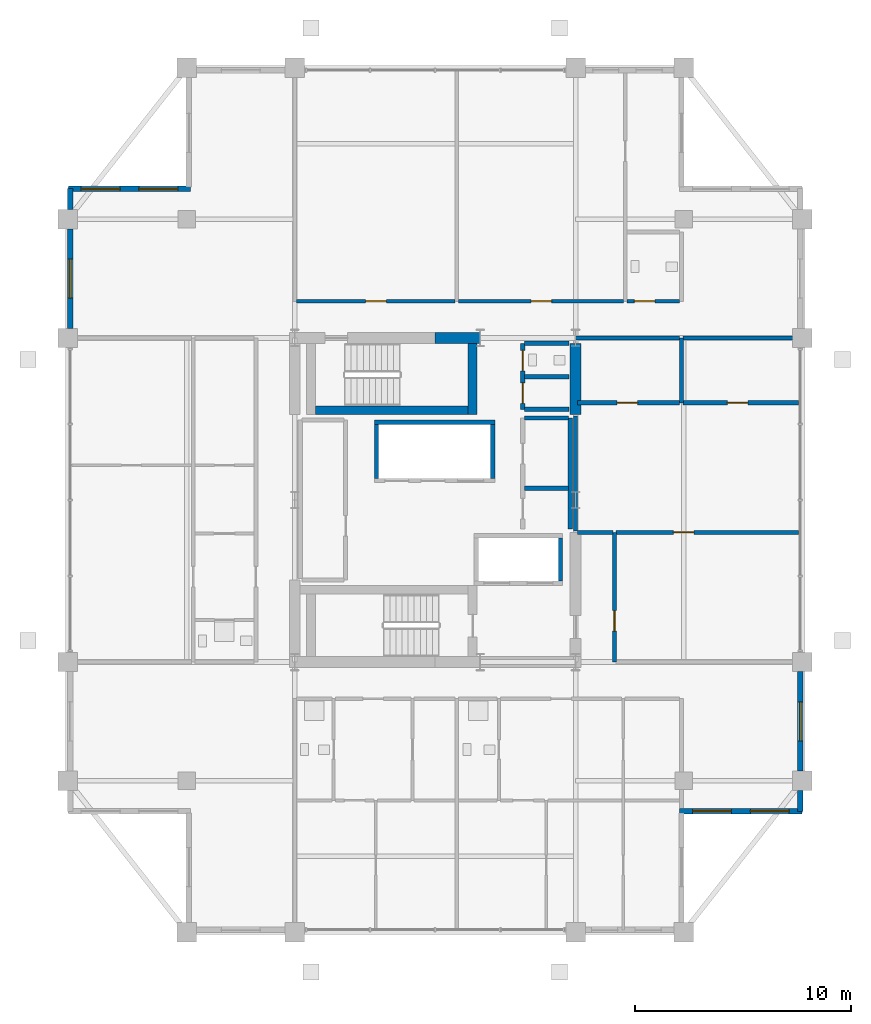
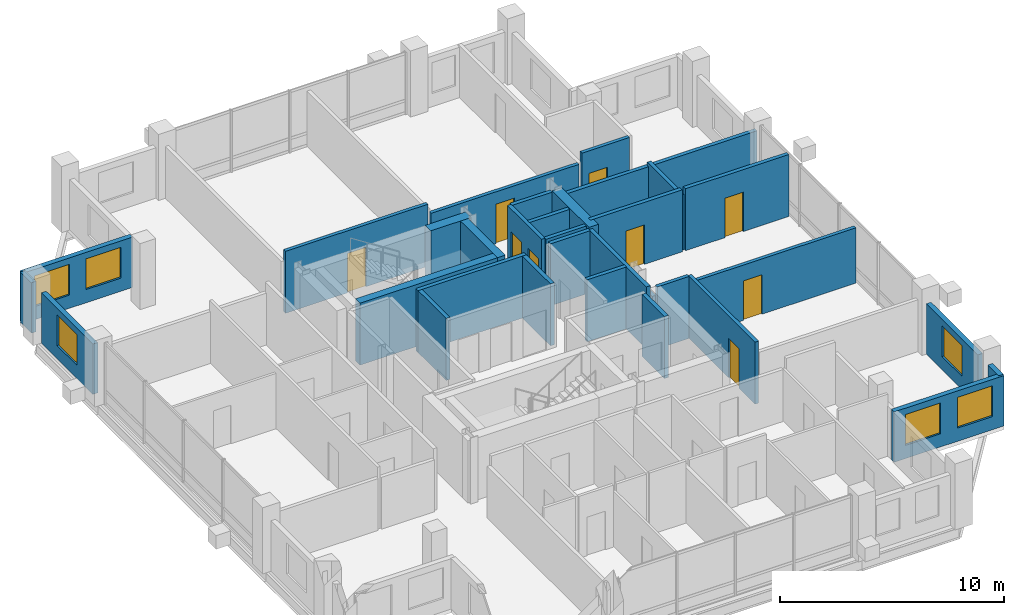
# One storey, part 18 of 21: 33 walls, 9 doors, 6 windows, 15 openings.
"""IFC4 building model written with IfcOpenShell, lengths in metres."""

from ifc_helpers import new_model, si_unit, direction, frame, frame_2d, origin, place, context, subcontext, project, spatial, rectangle, extrude, material, layer, layer_set, type_object, element, fill, save


model = new_model("IFC4")

# Units and contexts
model_context = context("Model", 3, precision=1e-05, world=origin(), true_north=direction((0.0, 1.0)))
body_context = subcontext(model_context, "Body", "Model", "MODEL_VIEW")
ifc_project = project(units=[si_unit("LENGTHUNIT", "METRE"), si_unit("AREAUNIT", "SQUARE_METRE"), si_unit("VOLUMEUNIT", "CUBIC_METRE"), si_unit("PLANEANGLEUNIT", "RADIAN"), si_unit("MASSUNIT", "GRAM", prefix="KILO")], contexts=[model_context])

# Site, building, storey
site_placement = place(None, origin())
site = spatial("IfcSite", under=ifc_project, at=site_placement, CompositionType="ELEMENT")
building_placement = place(site_placement, origin())
building = spatial("IfcBuilding", under=site, at=building_placement, Name="Barlavira Tower and Art Museum", CompositionType="ELEMENT")
storey_placement = place(building_placement, frame((0.0, 0.0, 297.89990234375)))
storey = spatial("IfcBuildingStorey", under=building, at=storey_placement, Name="L78", CompositionType="ELEMENT", Elevation=297.89990234375)

# Walls
ifc_material_1 = material(Name="Concrete C60", Category="concrete")
ifc_layer_1 = layer(ifc_material_1, 0.5, Name="Concrete C60")
ifc_layer_set_1 = layer_set([ifc_layer_1], Name="Concrete C60")
wall_type_1 = type_object("IfcWallType", Name="Core Structural Shear Wall 500 Concrete C60", PredefinedType="SHEAR", material=ifc_layer_set_1)
wall_1_placement = place(storey_placement, frame((0.0, 7.5, 0.0), z_axis=(0.0, 0.0, 1.0), x_axis=(1.0, 0.0, 0.0)))
element("IfcWall", 1, at=wall_1_placement, inside=storey, type_object=wall_type_1, Name="L78 Core Shear Wall CS-EN", PredefinedType="SHEAR", context=body_context, shape_type="SweptSolid", body=[
    extrude(rectangle(XDim=2.080078125, YDim=0.5, at=frame_2d((1.0400390625, 0.0))), origin(), (0.0, 0.0, 1.0), 3.380126953125),
])
wall_2_placement = place(storey_placement, frame((6.5, 3.949951171875, 0.0), z_axis=(0.0, 0.0, 1.0), x_axis=(0.0, 1.0, 0.0)))
element("IfcWall", 2, at=wall_2_placement, inside=storey, type_object=wall_type_1, Name="L78 Core Shear Wall CS-E2", PredefinedType="SHEAR", context=body_context, shape_type="SweptSolid", body=[
    extrude(rectangle(XDim=3.300048828125, YDim=0.5, at=frame_2d((1.64990234375, 0.0))), origin(), (0.0, 0.0, 1.0), 3.380126953125),
])
ifc_material_2 = material(Name="Autoclaved aerated concrete masonry", Category="masonry")
ifc_layer_2 = layer(ifc_material_2, 0.199951171875, Name="Autoclaved aerated concrete masonry")
ifc_layer_set_2 = layer_set([ifc_layer_2], Name="Autoclaved aerated concrete masonry")
wall_type_2 = type_object("IfcWallType", Name="Fire Compartment and Shaft Wall 200", PredefinedType="SOLIDWALL", material=ifc_layer_set_2)
wall_3_placement = place(storey_placement, frame((-2.820068359375, 3.60009765625, 0.0), z_axis=(0.0, 0.0, 1.0), x_axis=(1.0, 0.0, 0.0)))
element("IfcWall", 3, at=wall_3_placement, inside=storey, type_object=wall_type_2, Name="L78 High-Rise & Service Lift Back Wall", PredefinedType="SOLIDWALL", context=body_context, shape_type="SweptSolid", body=[
    extrude(rectangle(XDim=5.580078125, YDim=0.199951171875, at=frame_2d((2.7900390625, 0.0))), origin(), (0.0, 0.0, 1.0), 3.380126953125),
])
for number, where, z_axis, x_axis, name in (
    (4, (-2.719970703125, 1.0, 0.0), (0.0, 0.0, 1.0), (0.0, 1.0, 0.0), "L78 High-Rise & Service Lift West Wall"),
    (5, (2.659912109375, 1.0, 0.0), (0.0, 0.0, 1.0), (0.0, 1.0, 0.0), "L78 High-Rise & Service Lift East Wall"),
):
    element("IfcWall", number, at=place(storey_placement, frame(where, z_axis=z_axis, x_axis=x_axis)), inside=storey, type_object=wall_type_2, Name=name, PredefinedType="SOLIDWALL", context=body_context, shape_type="SweptSolid", body=[
        extrude(rectangle(XDim=2.5, YDim=0.199951171875, at=frame_2d((1.25, 0.0))), origin(), (0.0, 0.0, 1.0), 3.380126953125),
    ])
wall_4_placement = place(storey_placement, frame((5.800048828125, -3.75, 0.0), z_axis=(0.0, 0.0, 1.0), x_axis=(0.0, 1.0, 0.0)))
element("IfcWall", 6, at=wall_4_placement, inside=storey, type_object=wall_type_2, Name="L78 Firefighting Lift East Shaft Wall", PredefinedType="SOLIDWALL", context=body_context, shape_type="SweptSolid", body=[
    extrude(rectangle(XDim=2.0, YDim=0.199951171875, at=frame_2d((1.0, 0.0))), origin(), (0.0, 0.0, 1.0), 3.380126953125),
])

# Wall, openings, doors
wall_5_placement = place(storey_placement, frame((4.050048828125, 4.199951171875, 0.0), z_axis=(0.0, 0.0, 1.0), x_axis=(0.0, 1.0, 0.0)))
wall_5 = element("IfcWall", 7, at=wall_5_placement, inside=storey, type_object=wall_type_2, Name="L78 Partition Wall 14", PredefinedType="SOLIDWALL", context=body_context, shape_type="SweptSolid", body=[
    extrude(rectangle(XDim=3.050048828125, YDim=0.199951171875, at=frame_2d((1.52490234375, 0.0))), origin(), (0.0, 0.0, 1.0), 3.380126953125),
])
opening_1_placement = place(wall_5_placement, frame((0.27490234375, 0.0, 0.0)))
opening_1 = element("IfcOpeningElement", 8, at=opening_1_placement, cuts=wall_5, Name="Opening FD-60", PredefinedType="OPENING", context=body_context, shape_type="SweptSolid", body=[
    extrude(rectangle(XDim=0.949951171875, YDim=2.14990234375, at=frame_2d((0.47509765625, 1.074951171875))), frame((0.0, 0.10986328125, 0.0), z_axis=(0.0, -1.0, 0.0), x_axis=(1.0, 0.0, 0.0)), (0.0, 0.0, 1.0), 0.219970703125),
])
opening_2_placement = place(wall_5_placement, frame((1.77490234375, 0.0, 0.0)))
opening_2 = element("IfcOpeningElement", 9, at=opening_2_placement, cuts=wall_5, Name="Opening FD-60", PredefinedType="OPENING", context=body_context, shape_type="SweptSolid", body=[
    extrude(rectangle(XDim=0.949951171875, YDim=2.14990234375, at=frame_2d((0.47509765625, 1.074951171875))), frame((0.0, 0.10986328125, 0.0), z_axis=(0.0, -1.0, 0.0), x_axis=(1.0, 0.0, 0.0)), (0.0, 0.0, 1.0), 0.219970703125),
])
ifc_material_3 = material(Name="Brushed stainless steel", Category="steel")
door_type = type_object("IfcDoorType", Name="Apartment Entrance and Riser Fire Door 950x2150 FD60S", OperationType="NOTDEFINED", PredefinedType="DOOR", material=ifc_material_3)
door_1_placement = place(opening_1_placement, origin())
door_1 = element("IfcDoor", 10, at=door_1_placement, inside=storey, type_object=door_type, Name="Electrical Switchgear Room Door", OperationType="SINGLE_SWING_LEFT", OverallHeight=2.14990234375, OverallWidth=0.949951171875, PredefinedType="DOOR", context=body_context, shape_type="SweptSolid", body=[
    extrude(rectangle(XDim=0.949951171875, YDim=2.14990234375, at=frame_2d((0.47509765625, 1.074951171875))), frame((0.0, 0.02490234375, 0.0), z_axis=(0.0, -1.0, 0.0), x_axis=(1.0, 0.0, 0.0)), (0.0, 0.0, 1.0), 0.050048828125),
])
fill(opening_1, door_1)
door_2_placement = place(opening_2_placement, origin())
door_2 = element("IfcDoor", 11, at=door_2_placement, inside=storey, type_object=door_type, Name="Core Staff Toilet Door", OperationType="SINGLE_SWING_RIGHT", OverallHeight=2.14990234375, OverallWidth=0.949951171875, PredefinedType="DOOR", context=body_context, shape_type="SweptSolid", body=[
    extrude(rectangle(XDim=0.949951171875, YDim=2.14990234375, at=frame_2d((0.47509765625, 1.074951171875))), frame((0.0, 0.02490234375, 0.0), z_axis=(0.0, -1.0, 0.0), x_axis=(1.0, 0.0, 0.0)), (0.0, 0.0, 1.0), 0.050048828125),
])
fill(opening_2, door_2)

# Walls
wall_6_placement = place(storey_placement, frame((6.25, -1.35009765625, 0.0), z_axis=(0.0, 0.0, 1.0), x_axis=(0.0, 1.0, 0.0)))
element("IfcWall", 12, at=wall_6_placement, inside=storey, type_object=wall_type_2, Name="L78 Partition Wall 16", PredefinedType="SOLIDWALL", context=body_context, shape_type="SweptSolid", body=[
    extrude(rectangle(XDim=5.150146484375, YDim=0.199951171875, at=frame_2d((2.5751953125, 0.0))), origin(), (0.0, 0.0, 1.0), 3.380126953125),
])
wall_7_placement = place(storey_placement, frame((11.39990234375, 4.5, 0.0), z_axis=(0.0, 0.0, 1.0), x_axis=(0.0, 1.0, 0.0)))
element("IfcWall", 13, at=wall_7_placement, inside=storey, type_object=wall_type_2, Name="L78 Partition Wall 22", PredefinedType="SOLIDWALL", context=body_context, shape_type="SweptSolid", body=[
    extrude(rectangle(XDim=3.0, YDim=0.199951171875, at=frame_2d((1.5, 0.0))), origin(), (0.0, 0.0, 1.0), 3.01806640625),
])
for number, where, z_axis, x_axis, name in (
    (14, (4.1298828125, 0.550048828125, 0.0), (0.0, 0.0, 1.0), (1.0, 0.0, 0.0), "L78 Partition Wall 46"),
    (15, (4.1298828125, 3.800048828125, 0.0), (0.0, 0.0, 1.0), (1.0, 0.0, 0.0), "L78 Partition Wall 50"),
):
    element("IfcWall", number, at=place(storey_placement, frame(where, z_axis=z_axis, x_axis=x_axis)), inside=storey, type_object=wall_type_2, Name=name, PredefinedType="SOLIDWALL", context=body_context, shape_type="SweptSolid", body=[
        extrude(rectangle(XDim=2.0400390625, YDim=0.199951171875, at=frame_2d((1.02001953125, 0.0))), origin(), (0.0, 0.0, 1.0), 3.380126953125),
    ])
wall_8_placement = place(storey_placement, frame((4.1298828125, 4.199951171875, 0.0), z_axis=(0.0, 0.0, 1.0), x_axis=(1.0, 0.0, 0.0)))
element("IfcWall", 16, at=wall_8_placement, inside=storey, type_object=wall_type_2, Name="L78 Partition Wall 51", PredefinedType="SOLIDWALL", context=body_context, shape_type="SweptSolid", body=[
    extrude(rectangle(XDim=2.070068359375, YDim=0.199951171875, at=frame_2d((1.03515625, 0.0))), origin(), (0.0, 0.0, 1.0), 3.380126953125),
])

# Wall, opening, door
wall_9_placement = place(storey_placement, frame((6.580078125, 4.5, 0.0), z_axis=(0.0, 0.0, 1.0), x_axis=(1.0, 0.0, 0.0)))
wall_9 = element("IfcWall", 17, at=wall_9_placement, inside=storey, type_object=wall_type_2, Name="L78 Partition Wall 52", PredefinedType="SOLIDWALL", context=body_context, shape_type="SweptSolid", body=[
    extrude(rectangle(XDim=4.739990234375, YDim=0.199951171875, at=frame_2d((2.3701171875, 0.0))), origin(), (0.0, 0.0, 1.0), 3.380126953125),
])
opening_3_placement = place(wall_9_placement, frame((1.844970703125, 0.0, 0.0)))
opening_3 = element("IfcOpeningElement", 18, at=opening_3_placement, cuts=wall_9, Name="Opening FD-60", PredefinedType="OPENING", context=body_context, shape_type="SweptSolid", body=[
    extrude(rectangle(XDim=0.949951171875, YDim=2.14990234375, at=frame_2d((0.47509765625, 1.074951171875))), frame((0.0, 0.10986328125, 0.0), z_axis=(0.0, -1.0, 0.0), x_axis=(1.0, 0.0, 0.0)), (0.0, 0.0, 1.0), 0.219970703125),
])
door_3_placement = place(opening_3_placement, origin())
door_3 = element("IfcDoor", 19, at=door_3_placement, inside=storey, type_object=door_type, Name="Shared Espresso Pantry Door", OperationType="SINGLE_SWING_RIGHT", OverallHeight=2.14990234375, OverallWidth=0.949951171875, PredefinedType="DOOR", context=body_context, shape_type="SweptSolid", body=[
    extrude(rectangle(XDim=0.949951171875, YDim=2.14990234375, at=frame_2d((0.47509765625, 1.074951171875))), frame((0.0, 0.02490234375, 0.0), z_axis=(0.0, -1.0, 0.0), x_axis=(1.0, 0.0, 0.0)), (0.0, 0.0, 1.0), 0.050048828125),
])
fill(opening_3, door_3)

wall_10_placement = place(storey_placement, frame((11.47998046875, 4.5, 0.0), z_axis=(0.0, 0.0, 1.0), x_axis=(1.0, 0.0, 0.0)))
wall_10 = element("IfcWall", 20, at=wall_10_placement, inside=storey, type_object=wall_type_2, Name="L78 Partition Wall 53", PredefinedType="SOLIDWALL", context=body_context, shape_type="SweptSolid", body=[
    extrude(rectangle(XDim=5.340087890625, YDim=0.199951171875, at=frame_2d((2.669921875, 0.0))), origin(), (0.0, 0.0, 1.0), 3.380126953125),
])
opening_4_placement = place(wall_10_placement, frame((2.044921875, 0.0, 0.0)))
opening_4 = element("IfcOpeningElement", 21, at=opening_4_placement, cuts=wall_10, Name="Opening FD-60", PredefinedType="OPENING", context=body_context, shape_type="SweptSolid", body=[
    extrude(rectangle(XDim=0.949951171875, YDim=2.14990234375, at=frame_2d((0.47509765625, 1.074951171875))), frame((0.0, 0.10986328125, 0.0), z_axis=(0.0, -1.0, 0.0), x_axis=(1.0, 0.0, 0.0)), (0.0, 0.0, 1.0), 0.219970703125),
])
door_4_placement = place(opening_4_placement, origin())
door_4 = element("IfcDoor", 22, at=door_4_placement, inside=storey, type_object=door_type, Name="High-Rise Amenity Linen Store Door", OperationType="SINGLE_SWING_LEFT", OverallHeight=2.14990234375, OverallWidth=0.949951171875, PredefinedType="DOOR", context=body_context, shape_type="SweptSolid", body=[
    extrude(rectangle(XDim=0.949951171875, YDim=2.14990234375, at=frame_2d((0.47509765625, 1.074951171875))), frame((0.0, 0.02490234375, 0.0), z_axis=(0.0, -1.0, 0.0), x_axis=(1.0, 0.0, 0.0)), (0.0, 0.0, 1.0), 0.050048828125),
])
fill(opening_4, door_4)

# Walls
for number, where, z_axis, x_axis, name in (
    (23, (4.1298828125, 5.699951171875, 0.0), (0.0, 0.0, 1.0), (1.0, 0.0, 0.0), "L78 Partition Wall 54"),
    (24, (4.1298828125, 7.25, 0.0), (0.0, 0.0, 1.0), (1.0, 0.0, 0.0), "L78 Partition Wall 55"),
):
    element("IfcWall", number, at=place(storey_placement, frame(where, z_axis=z_axis, x_axis=x_axis)), inside=storey, type_object=wall_type_2, Name=name, PredefinedType="SOLIDWALL", context=body_context, shape_type="SweptSolid", body=[
        extrude(rectangle(XDim=2.070068359375, YDim=0.199951171875, at=frame_2d((1.03515625, 0.0))), origin(), (0.0, 0.0, 1.0), 3.380126953125),
    ])
wall_11_placement = place(storey_placement, frame((6.5, 7.5, 0.0), z_axis=(0.0, 0.0, 1.0), x_axis=(1.0, 0.0, 0.0)))
element("IfcWall", 25, at=wall_11_placement, inside=storey, type_object=wall_type_2, Name="L78 Partition Wall 58", PredefinedType="SOLIDWALL", context=body_context, shape_type="SweptSolid", body=[
    extrude(rectangle(XDim=4.820068359375, YDim=0.199951171875, at=frame_2d((2.41015625, 0.0))), origin(), (0.0, 0.0, 1.0), 2.826171875),
])
wall_12_placement = place(storey_placement, frame((11.47998046875, 7.5, 0.0), z_axis=(0.0, 0.0, 1.0), x_axis=(1.0, 0.0, 0.0)))
element("IfcWall", 26, at=wall_12_placement, inside=storey, type_object=wall_type_2, Name="L78 Partition Wall 59", PredefinedType="SOLIDWALL", context=body_context, shape_type="SweptSolid", body=[
    extrude(rectangle(XDim=5.419921875, YDim=0.199951171875, at=frame_2d((2.7099609375, 0.0))), origin(), (0.0, 0.0, 1.0), 2.826171875),
])
ifc_material_4 = material(Name="Gypsum acoustic stud partition", Category="gypsum")
ifc_layer_3 = layer(ifc_material_4, 0.179931640625, Name="Gypsum acoustic stud partition")
ifc_layer_set_3 = layer_set([ifc_layer_3], Name="Gypsum acoustic stud partition")
wall_type_3 = type_object("IfcWallType", Name="Inter-Tenancy Party Partition Wall 180", PredefinedType="PARTITIONING", material=ifc_layer_set_3)
wall_13_placement = place(storey_placement, frame((6.5, -1.43994140625, 0.0), z_axis=(0.0, 0.0, 1.0), x_axis=(0.0, 1.0, 0.0)))
element("IfcWall", 27, at=wall_13_placement, inside=storey, type_object=wall_type_3, Name="L78 Partition Wall 17", PredefinedType="PARTITIONING", context=body_context, shape_type="SweptSolid", body=[
    extrude(rectangle(XDim=5.329833984375, YDim=0.179931640625, at=frame_2d((2.6650390625, 0.0))), origin(), (0.0, 0.0, 1.0), 2.826171875),
])

# Wall, opening, door
wall_14_placement = place(storey_placement, frame((8.300048828125, -7.5, 0.0), z_axis=(0.0, 0.0, 1.0), x_axis=(0.0, 1.0, 0.0)))
wall_14 = element("IfcWall", 28, at=wall_14_placement, inside=storey, type_object=wall_type_3, Name="L78 Partition Wall 18", PredefinedType="PARTITIONING", context=body_context, shape_type="SweptSolid", body=[
    extrude(rectangle(XDim=6.0, YDim=0.179931640625, at=frame_2d((3.0, 0.0))), origin(), (0.0, 0.0, 1.0), 3.380126953125),
])
opening_5_placement = place(wall_14_placement, frame((1.425048828125, 0.0, 0.0)))
opening_5 = element("IfcOpeningElement", 29, at=opening_5_placement, cuts=wall_14, Name="Opening FD-60", PredefinedType="OPENING", context=body_context, shape_type="SweptSolid", body=[
    extrude(rectangle(XDim=0.949951171875, YDim=2.14990234375, at=frame_2d((0.47509765625, 1.074951171875))), frame((0.0, 0.10009765625, 0.0), z_axis=(0.0, -1.0, 0.0), x_axis=(1.0, 0.0, 0.0)), (0.0, 0.0, 1.0), 0.199951171875),
])
door_5_placement = place(opening_5_placement, origin())
door_5 = element("IfcDoor", 30, at=door_5_placement, inside=storey, type_object=door_type, Name="Resident Sky Coworking Studio Door", OperationType="SINGLE_SWING_RIGHT", OverallHeight=2.14990234375, OverallWidth=0.949951171875, PredefinedType="DOOR", context=body_context, shape_type="SweptSolid", body=[
    extrude(rectangle(XDim=0.949951171875, YDim=2.14990234375, at=frame_2d((0.47509765625, 1.074951171875))), frame((0.0, 0.02490234375, 0.0), z_axis=(0.0, -1.0, 0.0), x_axis=(1.0, 0.0, 0.0)), (0.0, 0.0, 1.0), 0.050048828125),
])
fill(opening_5, door_5)

# Wall
wall_15_placement = place(storey_placement, frame((6.580078125, -1.5, 0.0), z_axis=(0.0, 0.0, 1.0), x_axis=(1.0, 0.0, 0.0)))
element("IfcWall", 31, at=wall_15_placement, inside=storey, type_object=wall_type_3, Name="L78 Partition Wall 44", PredefinedType="PARTITIONING", context=body_context, shape_type="SweptSolid", body=[
    extrude(rectangle(XDim=1.639892578125, YDim=0.179931640625, at=frame_2d((0.81982421875, 0.0))), origin(), (0.0, 0.0, 1.0), 3.380126953125),
])

# Wall, opening, door
wall_16_placement = place(storey_placement, frame((8.3798828125, -1.5, 0.0), z_axis=(0.0, 0.0, 1.0), x_axis=(1.0, 0.0, 0.0)))
wall_16 = element("IfcWall", 32, at=wall_16_placement, inside=storey, type_object=wall_type_3, Name="L78 Partition Wall 45", PredefinedType="PARTITIONING", context=body_context, shape_type="SweptSolid", body=[
    extrude(rectangle(XDim=8.440185546875, YDim=0.179931640625, at=frame_2d((4.22021484375, 0.0))), origin(), (0.0, 0.0, 1.0), 3.01806640625),
])
opening_6_placement = place(wall_16_placement, frame((2.64501953125, 0.0, 0.0)))
opening_6 = element("IfcOpeningElement", 33, at=opening_6_placement, cuts=wall_16, Name="Opening FD-60", PredefinedType="OPENING", context=body_context, shape_type="SweptSolid", body=[
    extrude(rectangle(XDim=0.949951171875, YDim=2.14990234375, at=frame_2d((0.47509765625, 1.074951171875))), frame((0.0, 0.10009765625, 0.0), z_axis=(0.0, -1.0, 0.0), x_axis=(1.0, 0.0, 0.0)), (0.0, 0.0, 1.0), 0.199951171875),
])
door_6_placement = place(opening_6_placement, origin())
door_6 = element("IfcDoor", 34, at=door_6_placement, inside=storey, type_object=door_type, Name="Private Coastal Dining Salon Door", OperationType="SINGLE_SWING_LEFT", OverallHeight=2.14990234375, OverallWidth=0.949951171875, PredefinedType="DOOR", context=body_context, shape_type="SweptSolid", body=[
    extrude(rectangle(XDim=0.949951171875, YDim=2.14990234375, at=frame_2d((0.47509765625, 1.074951171875))), frame((0.0, 0.02490234375, 0.0), z_axis=(0.0, -1.0, 0.0), x_axis=(1.0, 0.0, 0.0)), (0.0, 0.0, 1.0), 0.050048828125),
])
fill(opening_6, door_6)

wall_17_placement = place(storey_placement, frame((-6.419921875, 9.199951171875, 0.0), z_axis=(0.0, 0.0, 1.0), x_axis=(1.0, 0.0, 0.0)))
wall_17 = element("IfcWall", 35, at=wall_17_placement, inside=storey, type_object=wall_type_3, Name="L78 Partition Wall 60", PredefinedType="PARTITIONING", context=body_context, shape_type="SweptSolid", body=[
    extrude(rectangle(XDim=7.33984375, YDim=0.179931640625, at=frame_2d((3.669921875, 0.0))), origin(), (0.0, 0.0, 1.0), 3.380126953125),
])
opening_7_placement = place(wall_17_placement, frame((3.205078125, 0.0, 0.0)))
opening_7 = element("IfcOpeningElement", 36, at=opening_7_placement, cuts=wall_17, Name="Opening FD-60", PredefinedType="OPENING", context=body_context, shape_type="SweptSolid", body=[
    extrude(rectangle(XDim=0.949951171875, YDim=2.14990234375, at=frame_2d((0.47509765625, 1.074951171875))), frame((0.0, 0.10009765625, 0.0), z_axis=(0.0, -1.0, 0.0), x_axis=(1.0, 0.0, 0.0)), (0.0, 0.0, 1.0), 0.199951171875),
])
door_7_placement = place(opening_7_placement, origin())
door_7 = element("IfcDoor", 37, at=door_7_placement, inside=storey, type_object=door_type, Name="Resident Ocean-View Fitness Studio Door", OperationType="SINGLE_SWING_RIGHT", OverallHeight=2.14990234375, OverallWidth=0.949951171875, PredefinedType="DOOR", context=body_context, shape_type="SweptSolid", body=[
    extrude(rectangle(XDim=0.949951171875, YDim=2.14990234375, at=frame_2d((0.47509765625, 1.074951171875))), frame((0.0, 0.02490234375, 0.0), z_axis=(0.0, -1.0, 0.0), x_axis=(1.0, 0.0, 0.0)), (0.0, 0.0, 1.0), 0.050048828125),
])
fill(opening_7, door_7)

wall_18_placement = place(storey_placement, frame((1.080078125, 9.199951171875, 0.0), z_axis=(0.0, 0.0, 1.0), x_axis=(1.0, 0.0, 0.0)))
wall_18 = element("IfcWall", 38, at=wall_18_placement, inside=storey, type_object=wall_type_3, Name="L78 Partition Wall 61", PredefinedType="PARTITIONING", context=body_context, shape_type="SweptSolid", body=[
    extrude(rectangle(XDim=7.639892578125, YDim=0.179931640625, at=frame_2d((3.81982421875, 0.0))), origin(), (0.0, 0.0, 1.0), 2.826171875),
])
opening_8_placement = place(wall_18_placement, frame((3.35498046875, 0.0, 0.0)))
opening_8 = element("IfcOpeningElement", 39, at=opening_8_placement, cuts=wall_18, Name="Opening FD-60", PredefinedType="OPENING", context=body_context, shape_type="SweptSolid", body=[
    extrude(rectangle(XDim=0.949951171875, YDim=2.14990234375, at=frame_2d((0.47509765625, 1.074951171875))), frame((0.0, 0.10009765625, 0.0), z_axis=(0.0, -1.0, 0.0), x_axis=(1.0, 0.0, 0.0)), (0.0, 0.0, 1.0), 0.199951171875),
])
door_8_placement = place(opening_8_placement, origin())
door_8 = element("IfcDoor", 40, at=door_8_placement, inside=storey, type_object=door_type, Name="Coastal Hydrotherapy and Yoga Lounge Door", OperationType="SINGLE_SWING_LEFT", OverallHeight=2.14990234375, OverallWidth=0.949951171875, PredefinedType="DOOR", context=body_context, shape_type="SweptSolid", body=[
    extrude(rectangle(XDim=0.949951171875, YDim=2.14990234375, at=frame_2d((0.47509765625, 1.074951171875))), frame((0.0, 0.02490234375, 0.0), z_axis=(0.0, -1.0, 0.0), x_axis=(1.0, 0.0, 0.0)), (0.0, 0.0, 1.0), 0.050048828125),
])
fill(opening_8, door_8)

wall_19_placement = place(storey_placement, frame((8.8798828125, 9.199951171875, 0.0), z_axis=(0.0, 0.0, 1.0), x_axis=(1.0, 0.0, 0.0)))
wall_19 = element("IfcWall", 41, at=wall_19_placement, inside=storey, type_object=wall_type_3, Name="L78 Partition Wall 62", PredefinedType="PARTITIONING", context=body_context, shape_type="SweptSolid", body=[
    extrude(rectangle(XDim=2.440185546875, YDim=0.179931640625, at=frame_2d((1.22021484375, 0.0))), origin(), (0.0, 0.0, 1.0), 3.380126953125),
])
opening_9_placement = place(wall_19_placement, frame((0.344970703125, 0.0, 0.0)))
opening_9 = element("IfcOpeningElement", 42, at=opening_9_placement, cuts=wall_19, Name="Opening FD-60", PredefinedType="OPENING", context=body_context, shape_type="SweptSolid", body=[
    extrude(rectangle(XDim=0.949951171875, YDim=2.14990234375, at=frame_2d((0.47509765625, 1.074951171875))), frame((0.0, 0.10009765625, 0.0), z_axis=(0.0, -1.0, 0.0), x_axis=(1.0, 0.0, 0.0)), (0.0, 0.0, 1.0), 0.199951171875),
])
door_9_placement = place(opening_9_placement, origin())
door_9 = element("IfcDoor", 43, at=door_9_placement, inside=storey, type_object=door_type, Name="Wellness Changing and Accessible Shower WC Door", OperationType="SINGLE_SWING_RIGHT", OverallHeight=2.14990234375, OverallWidth=0.949951171875, PredefinedType="DOOR", context=body_context, shape_type="SweptSolid", body=[
    extrude(rectangle(XDim=0.949951171875, YDim=2.14990234375, at=frame_2d((0.47509765625, 1.074951171875))), frame((0.0, 0.02490234375, 0.0), z_axis=(0.0, -1.0, 0.0), x_axis=(1.0, 0.0, 0.0)), (0.0, 0.0, 1.0), 0.050048828125),
])
fill(opening_9, door_9)

# Wall
ifc_material_5 = material(Name="Precast concrete C40", Category="concrete")
ifc_layer_4 = layer(ifc_material_5, 0.25, Name="Precast concrete C40")
ifc_layer_set_4 = layer_set([ifc_layer_4], Name="Precast concrete C40")
wall_type_4 = type_object("IfcWallType", Name="Notched Corner Spandrel Wall 250 Precast Concrete C40", PredefinedType="SOLIDWALL", material=ifc_layer_set_4)
wall_20_placement = place(storey_placement, frame((-16.89990234375, 14.425048828125, 0.0), z_axis=(0.0, 0.0, 1.0), x_axis=(0.0, -1.0, 0.0)))
element("IfcWall", 44, at=wall_20_placement, inside=storey, type_object=wall_type_4, Name="L78 Coastal Facade Pier Wall CW4-L78-W-1", PredefinedType="SOLIDWALL", context=body_context, shape_type="SweptSolid", body=[
    extrude(rectangle(XDim=0.97998046875, YDim=0.25, at=frame_2d((0.489990234375, 0.0))), origin(), (0.0, 0.0, 1.0), 2.748046875),
])

# Wall, opening, window
wall_21_placement = place(storey_placement, frame((-16.89990234375, 12.554931640625, 0.0), z_axis=(0.0, 0.0, 1.0), x_axis=(0.0, -1.0, 0.0)))
wall_21 = element("IfcWall", 45, at=wall_21_placement, inside=storey, type_object=wall_type_4, Name="L78 Coastal Facade Pier Wall CW4-L78-W-2", PredefinedType="SOLIDWALL", context=body_context, shape_type="SweptSolid", body=[
    extrude(rectangle(XDim=4.60986328125, YDim=0.25, at=frame_2d((2.304931640625, 0.0))), origin(), (0.0, 0.0, 1.0), 2.748046875),
])
opening_10_placement = place(wall_21_placement, frame((1.405029296875, 0.0, 0.719970703125)))
opening_10 = element("IfcOpeningElement", 46, at=opening_10_placement, cuts=wall_21, Name="Opening WN-01", PredefinedType="OPENING", context=body_context, shape_type="SweptSolid", body=[
    extrude(rectangle(XDim=1.800048828125, YDim=1.679931640625, at=frame_2d((0.89990234375, 0.83984375))), frame((0.0, 0.135009765625, 0.0), z_axis=(0.0, -1.0, 0.0), x_axis=(1.0, 0.0, 0.0)), (0.0, 0.0, 1.0), 0.27001953125),
])
ifc_material_6 = material(Name="Low-iron coastal laminated glass", Category="glass")
window_type = type_object("IfcWindowType", Name="Recessed Notch Corner Punch Window 1800x1680", PartitioningType="SINGLE_PANEL", PredefinedType="WINDOW", material=ifc_material_6)
window_1_placement = place(opening_10_placement, origin())
window_1 = element("IfcWindow", 47, at=window_1_placement, inside=storey, type_object=window_type, Name="L78 Punched Facade Window EWP-CW4-L78-W-2-1", OverallHeight=1.679931640625, OverallWidth=1.800048828125, PartitioningType="SINGLE_PANEL", PredefinedType="WINDOW", context=body_context, shape_type="SweptSolid", body=[
    extrude(rectangle(XDim=1.800048828125, YDim=1.679931640625, at=frame_2d((0.89990234375, 0.83984375))), frame((0.0, 0.030029296875, 0.0), z_axis=(0.0, -1.0, 0.0), x_axis=(1.0, 0.0, 0.0)), (0.0, 0.0, 1.0), 0.06005859375),
])
fill(opening_10, window_1)

# Wall
wall_22_placement = place(storey_placement, frame((16.89990234375, -14.425048828125, 0.0), z_axis=(0.0, 0.0, 1.0), x_axis=(0.0, 1.0, 0.0)))
element("IfcWall", 48, at=wall_22_placement, inside=storey, type_object=wall_type_4, Name="L78 Coastal Facade Pier Wall CW4-L78-E-1", PredefinedType="SOLIDWALL", context=body_context, shape_type="SweptSolid", body=[
    extrude(rectangle(XDim=0.97998046875, YDim=0.25, at=frame_2d((0.489990234375, 0.0))), origin(), (0.0, 0.0, 1.0), 2.748046875),
])

# Wall, opening, window
wall_23_placement = place(storey_placement, frame((16.89990234375, -12.554931640625, 0.0), z_axis=(0.0, 0.0, 1.0), x_axis=(0.0, 1.0, 0.0)))
wall_23 = element("IfcWall", 49, at=wall_23_placement, inside=storey, type_object=wall_type_4, Name="L78 Coastal Facade Pier Wall CW4-L78-E-2", PredefinedType="SOLIDWALL", context=body_context, shape_type="SweptSolid", body=[
    extrude(rectangle(XDim=4.60986328125, YDim=0.25, at=frame_2d((2.304931640625, 0.0))), origin(), (0.0, 0.0, 1.0), 2.748046875),
])
opening_11_placement = place(wall_23_placement, frame((1.405029296875, 0.0, 0.719970703125)))
opening_11 = element("IfcOpeningElement", 50, at=opening_11_placement, cuts=wall_23, Name="Opening WN-01", PredefinedType="OPENING", context=body_context, shape_type="SweptSolid", body=[
    extrude(rectangle(XDim=1.800048828125, YDim=1.679931640625, at=frame_2d((0.89990234375, 0.83984375))), frame((0.0, 0.135009765625, 0.0), z_axis=(0.0, -1.0, 0.0), x_axis=(1.0, 0.0, 0.0)), (0.0, 0.0, 1.0), 0.27001953125),
])
window_2_placement = place(opening_11_placement, origin())
window_2 = element("IfcWindow", 51, at=window_2_placement, inside=storey, type_object=window_type, Name="L78 Punched Facade Window EWP-CW4-L78-E-2-1", OverallHeight=1.679931640625, OverallWidth=1.800048828125, PartitioningType="SINGLE_PANEL", PredefinedType="WINDOW", context=body_context, shape_type="SweptSolid", body=[
    extrude(rectangle(XDim=1.800048828125, YDim=1.679931640625, at=frame_2d((0.89990234375, 0.83984375))), frame((0.0, 0.030029296875, 0.0), z_axis=(0.0, -1.0, 0.0), x_axis=(1.0, 0.0, 0.0)), (0.0, 0.0, 1.0), 0.06005859375),
])
fill(opening_11, window_2)

# Wall, openings, windows
wall_24_placement = place(storey_placement, frame((11.320068359375, -14.39990234375, 0.0), z_axis=(0.0, 0.0, 1.0), x_axis=(1.0, 0.0, 0.0)))
wall_24 = element("IfcWall", 52, at=wall_24_placement, inside=storey, type_object=wall_type_4, Name="L78 Notch Corner Wall SE2", PredefinedType="SOLIDWALL", context=body_context, shape_type="SweptSolid", body=[
    extrude(rectangle(XDim=5.659912109375, YDim=0.25, at=frame_2d((2.830078125, 0.0))), origin(), (0.0, 0.0, 1.0), 2.748046875),
])
opening_12_placement = place(wall_24_placement, frame((0.594970703125, 0.0, 0.719970703125)))
opening_12 = element("IfcOpeningElement", 53, at=opening_12_placement, cuts=wall_24, Name="Opening WN-01", PredefinedType="OPENING", context=body_context, shape_type="SweptSolid", body=[
    extrude(rectangle(XDim=1.800048828125, YDim=1.679931640625, at=frame_2d((0.89990234375, 0.83984375))), frame((0.0, 0.135009765625, 0.0), z_axis=(0.0, -1.0, 0.0), x_axis=(1.0, 0.0, 0.0)), (0.0, 0.0, 1.0), 0.27001953125),
])
opening_13_placement = place(wall_24_placement, frame((3.264892578125, 0.0, 0.719970703125)))
opening_13 = element("IfcOpeningElement", 54, at=opening_13_placement, cuts=wall_24, Name="Opening WN-01", PredefinedType="OPENING", context=body_context, shape_type="SweptSolid", body=[
    extrude(rectangle(XDim=1.800048828125, YDim=1.679931640625, at=frame_2d((0.89990234375, 0.83984375))), frame((0.0, 0.135009765625, 0.0), z_axis=(0.0, -1.0, 0.0), x_axis=(1.0, 0.0, 0.0)), (0.0, 0.0, 1.0), 0.27001953125),
])
window_3_placement = place(opening_12_placement, origin())
window_3 = element("IfcWindow", 55, at=window_3_placement, inside=storey, type_object=window_type, Name="L78 Punched Facade Window EW-NTC-L78-SE2-1", OverallHeight=1.679931640625, OverallWidth=1.800048828125, PartitioningType="SINGLE_PANEL", PredefinedType="WINDOW", context=body_context, shape_type="SweptSolid", body=[
    extrude(rectangle(XDim=1.800048828125, YDim=1.679931640625, at=frame_2d((0.89990234375, 0.83984375))), frame((0.0, 0.030029296875, 0.0), z_axis=(0.0, -1.0, 0.0), x_axis=(1.0, 0.0, 0.0)), (0.0, 0.0, 1.0), 0.06005859375),
])
fill(opening_12, window_3)
window_4_placement = place(opening_13_placement, origin())
window_4 = element("IfcWindow", 56, at=window_4_placement, inside=storey, type_object=window_type, Name="L78 Punched Facade Window EW-NTC-L78-SE2-2", OverallHeight=1.679931640625, OverallWidth=1.800048828125, PartitioningType="SINGLE_PANEL", PredefinedType="WINDOW", context=body_context, shape_type="SweptSolid", body=[
    extrude(rectangle(XDim=1.800048828125, YDim=1.679931640625, at=frame_2d((0.89990234375, 0.83984375))), frame((0.0, 0.030029296875, 0.0), z_axis=(0.0, -1.0, 0.0), x_axis=(1.0, 0.0, 0.0)), (0.0, 0.0, 1.0), 0.06005859375),
])
fill(opening_13, window_4)

wall_25_placement = place(storey_placement, frame((-11.320068359375, 14.39990234375, 0.0), z_axis=(0.0, 0.0, 1.0), x_axis=(-1.0, 0.0, 0.0)))
wall_25 = element("IfcWall", 57, at=wall_25_placement, inside=storey, type_object=wall_type_4, Name="L78 Notch Corner Wall NW2", PredefinedType="SOLIDWALL", context=body_context, shape_type="SweptSolid", body=[
    extrude(rectangle(XDim=5.659912109375, YDim=0.25, at=frame_2d((2.830078125, 0.0))), origin(), (0.0, 0.0, 1.0), 2.748046875),
])
opening_14_placement = place(wall_25_placement, frame((0.594970703125, 0.0, 0.719970703125)))
opening_14 = element("IfcOpeningElement", 58, at=opening_14_placement, cuts=wall_25, Name="Opening WN-01", PredefinedType="OPENING", context=body_context, shape_type="SweptSolid", body=[
    extrude(rectangle(XDim=1.800048828125, YDim=1.679931640625, at=frame_2d((0.89990234375, 0.83984375))), frame((0.0, 0.135009765625, 0.0), z_axis=(0.0, -1.0, 0.0), x_axis=(1.0, 0.0, 0.0)), (0.0, 0.0, 1.0), 0.27001953125),
])
opening_15_placement = place(wall_25_placement, frame((3.264892578125, 0.0, 0.719970703125)))
opening_15 = element("IfcOpeningElement", 59, at=opening_15_placement, cuts=wall_25, Name="Opening WN-01", PredefinedType="OPENING", context=body_context, shape_type="SweptSolid", body=[
    extrude(rectangle(XDim=1.800048828125, YDim=1.679931640625, at=frame_2d((0.89990234375, 0.83984375))), frame((0.0, 0.135009765625, 0.0), z_axis=(0.0, -1.0, 0.0), x_axis=(1.0, 0.0, 0.0)), (0.0, 0.0, 1.0), 0.27001953125),
])
window_5_placement = place(opening_14_placement, origin())
window_5 = element("IfcWindow", 60, at=window_5_placement, inside=storey, type_object=window_type, Name="L78 Punched Facade Window EW-NTC-L78-NW2-1", OverallHeight=1.679931640625, OverallWidth=1.800048828125, PartitioningType="SINGLE_PANEL", PredefinedType="WINDOW", context=body_context, shape_type="SweptSolid", body=[
    extrude(rectangle(XDim=1.800048828125, YDim=1.679931640625, at=frame_2d((0.89990234375, 0.83984375))), frame((0.0, 0.030029296875, 0.0), z_axis=(0.0, -1.0, 0.0), x_axis=(1.0, 0.0, 0.0)), (0.0, 0.0, 1.0), 0.06005859375),
])
fill(opening_14, window_5)
window_6_placement = place(opening_15_placement, origin())
window_6 = element("IfcWindow", 61, at=window_6_placement, inside=storey, type_object=window_type, Name="L78 Punched Facade Window EW-NTC-L78-NW2-2", OverallHeight=1.679931640625, OverallWidth=1.800048828125, PartitioningType="SINGLE_PANEL", PredefinedType="WINDOW", context=body_context, shape_type="SweptSolid", body=[
    extrude(rectangle(XDim=1.800048828125, YDim=1.679931640625, at=frame_2d((0.89990234375, 0.83984375))), frame((0.0, 0.030029296875, 0.0), z_axis=(0.0, -1.0, 0.0), x_axis=(1.0, 0.0, 0.0)), (0.0, 0.0, 1.0), 0.06005859375),
])
fill(opening_15, window_6)

# Walls
ifc_material_7 = material(Name="Concrete C55", Category="concrete")
ifc_layer_5 = layer(ifc_material_7, 0.39990234375, Name="Concrete C55")
ifc_layer_set_5 = layer_set([ifc_layer_5], Name="Concrete C55")
wall_type_5 = type_object("IfcWallType", Name="Upper Core Shear Wall 400 Concrete C55", PredefinedType="SHEAR", material=ifc_layer_set_5)
wall_26_placement = place(storey_placement, frame((-5.550048828125, 4.14990234375, 0.0), z_axis=(0.0, 0.0, 1.0), x_axis=(1.0, 0.0, 0.0)))
element("IfcWall", 62, at=wall_26_placement, inside=storey, type_object=wall_type_5, Name="L78 ST-T2 South Shaft Wall", PredefinedType="SHEAR", context=body_context, shape_type="SweptSolid", body=[
    extrude(rectangle(XDim=7.080078125, YDim=0.39990234375, at=frame_2d((3.5400390625, 0.0))), origin(), (0.0, 0.0, 1.0), 3.380126953125),
])
wall_27_placement = place(storey_placement, frame((1.72998046875, 3.949951171875, 0.0), z_axis=(0.0, 0.0, 1.0), x_axis=(0.0, 1.0, 0.0)))
element("IfcWall", 63, at=wall_27_placement, inside=storey, type_object=wall_type_5, Name="L78 ST-T2 East Half-Landing Wall", PredefinedType="SHEAR", context=body_context, shape_type="SweptSolid", body=[
    extrude(rectangle(XDim=3.300048828125, YDim=0.39990234375, at=frame_2d((1.64990234375, 0.0))), origin(), (0.0, 0.0, 1.0), 3.380126953125),
])

save(model, "model.ifc")
